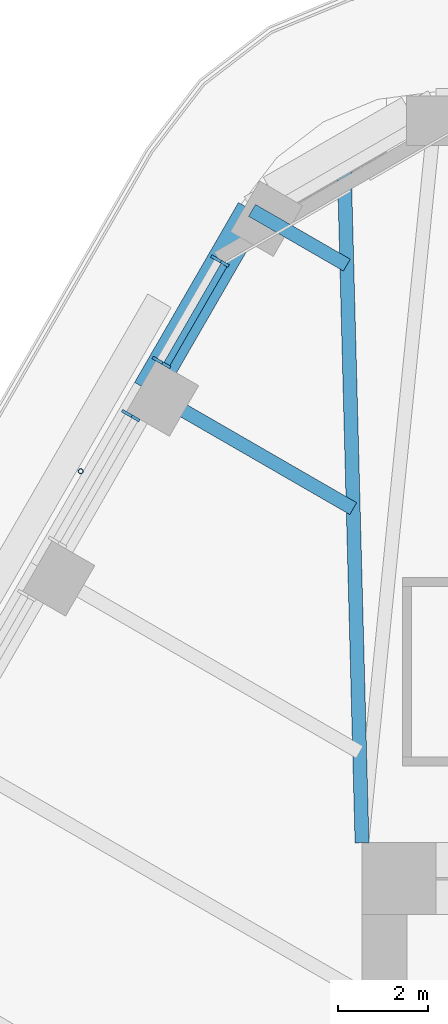
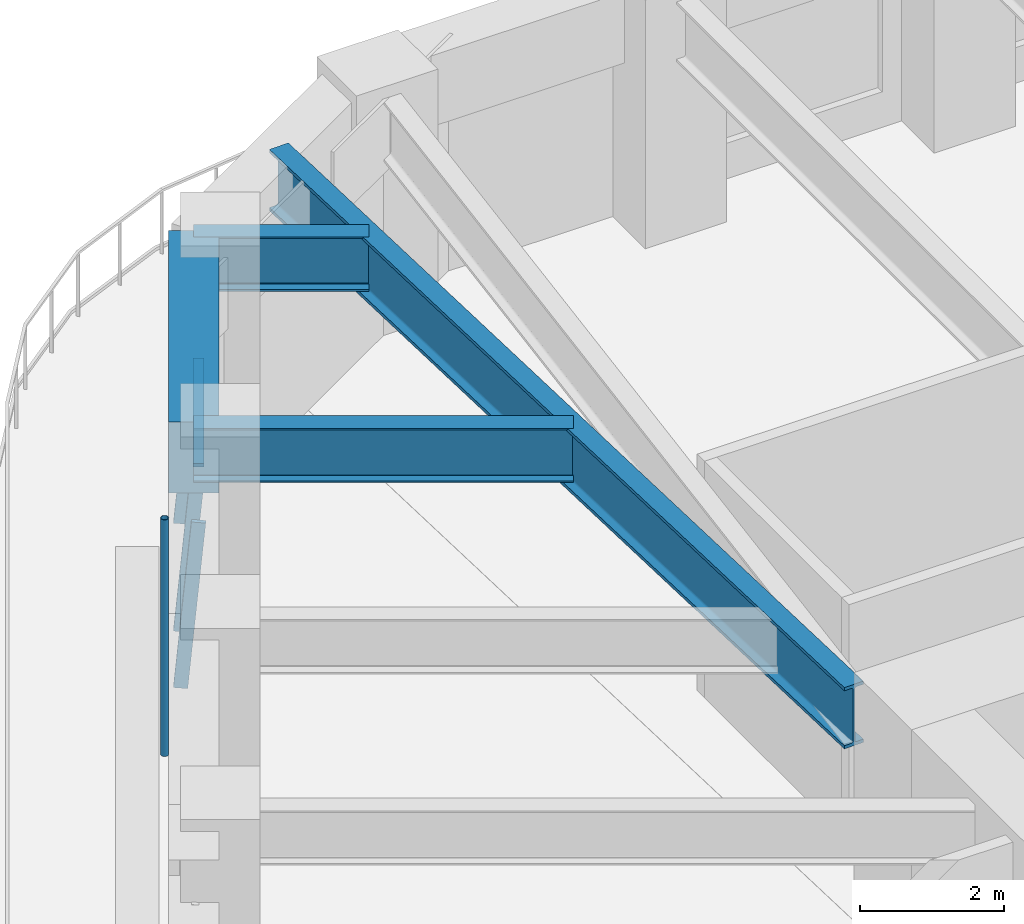
# One storey, part 8 of 20: 5 members, 4 beams, 2 elements without a shape of their own.
"""IFC4 building model written with IfcOpenShell, lengths in metres."""

import ifcopenshell
import ifcopenshell.guid

model = None  # the IFC model being written
_history = None  # IfcOwnerHistory: only IFC2X3 demands one
_inside = {}  # id of a spatial element -> (the spatial element, [elements in it])
_under = {}  # id of a project, library or spatial element -> (it, [spatial elements below it])
_declared = {}  # id of a project -> (the project, [libraries it declares])
_typed = {}  # id of a type object -> (the type object, [elements of that type])
_made_of = {}  # id of a material, layer set ... -> (it, [elements and type objects made of it])


def new_model(schema):
    """Start an empty IFC model of exactly this schema.

    Asked for "IFC4X3", IfcOpenShell would pick the latest addendum, in which some entities
    have other attributes; the version numbers below select the first issue.
    IFC2X3 requires an IfcOwnerHistory on every rooted entity: one is made here for all.
    """
    global model, _history
    if schema == "IFC4X3":
        model = ifcopenshell.file(schema_version=(4, 3, 0, 0))
    else:
        model = ifcopenshell.file(schema=schema)
    _inside.clear()
    _under.clear()
    _declared.clear()
    _typed.clear()
    _made_of.clear()
    _history = None
    if model.schema == "IFC2X3":
        org = make("IfcOrganization", Name="unknown")
        user = make(
            "IfcPersonAndOrganization",
            ThePerson=make("IfcPerson", FamilyName="unknown"),
            TheOrganization=org,
        )
        app = make(
            "IfcApplication",
            ApplicationDeveloper=org,
            Version="unknown",
            ApplicationFullName="unknown",
            ApplicationIdentifier="unknown",
        )
        _history = make(
            "IfcOwnerHistory",
            OwningUser=user,
            OwningApplication=app,
            ChangeAction="ADDED",
            CreationDate=0,
        )
    return model


def make(cls, **values):
    """One entity of the class cls with the attributes given. An attribute that is None is left unset."""
    return model.create_entity(
        cls, **{name: value for name, value in values.items() if value is not None}
    )


def rooted(cls, **values):
    """An entity with a GlobalId (a new one), such as an element, a storey or a relation."""
    return make(cls, GlobalId=ifcopenshell.guid.new(), OwnerHistory=_history, **values)


def si_unit(unit_type, name, prefix=None):
    """IfcSIUnit, for example si_unit("LENGTHUNIT", "METRE", prefix="MILLI")."""
    return make("IfcSIUnit", UnitType=unit_type, Prefix=prefix, Name=name)


def assignment(units):
    """IfcUnitAssignment: the units of a project."""
    return None if units is None else make("IfcUnitAssignment", Units=units)


def point(xyz):
    """IfcCartesianPoint."""
    return None if xyz is None else make("IfcCartesianPoint", Coordinates=xyz)


def direction(xyz):
    """IfcDirection."""
    return None if xyz is None else make("IfcDirection", DirectionRatios=xyz)


def frame(location, z_axis=None, x_axis=None):
    """IfcAxis2Placement3D, a coordinate frame: its origin and axes. An axis left out is left unset."""
    return make(
        "IfcAxis2Placement3D",
        Location=point(location),
        Axis=direction(z_axis),
        RefDirection=direction(x_axis),
    )


def frame_2d(location, x_axis=None):
    """IfcAxis2Placement2D, a coordinate frame in the plane: its origin and x axis."""
    return make(
        "IfcAxis2Placement2D", Location=point(location), RefDirection=direction(x_axis)
    )


def origin():
    """The frame at (0, 0, 0) with its axes left unset."""
    return frame((0.0, 0.0, 0.0))


def origin_2d():
    """The frame at (0, 0) in the plane with its x axis left unset."""
    return frame_2d((0.0, 0.0))


def place(relative_to, where):
    """IfcLocalPlacement: puts the frame where relative to a parent placement (None: the world)."""
    return make(
        "IfcLocalPlacement", PlacementRelTo=relative_to, RelativePlacement=where
    )


def context(
    kind, dimensions, precision=None, world=None, true_north=None, identifier=None
):
    """IfcGeometricRepresentationContext, for example the 3D "Model" context."""
    return make(
        "IfcGeometricRepresentationContext",
        ContextIdentifier=identifier,
        ContextType=kind,
        CoordinateSpaceDimension=dimensions,
        Precision=precision,
        WorldCoordinateSystem=world,
        TrueNorth=true_north,
    )


def subcontext(parent, identifier, kind, view, scale=None):
    """IfcGeometricRepresentationSubContext, for example "Body" below "Model"."""
    return make(
        "IfcGeometricRepresentationSubContext",
        ContextIdentifier=identifier,
        ContextType=kind,
        ParentContext=parent,
        TargetScale=scale,
        TargetView=view,
    )


def project(units=None, contexts=None):
    """IfcProject with its units and contexts."""
    return rooted(
        "IfcProject",
        Name="project",
        RepresentationContexts=contexts,
        UnitsInContext=assignment(units),
    )


def spatial(cls, under=None, at=None, **own):
    """A site, building, storey or space (cls), placed at a placement, below another one or the project."""
    s = rooted(cls, ObjectPlacement=at, **own)
    if under is not None:
        _under.setdefault(under.id(), (under, []))[1].append(s)
    return s


def profile(cls, at=None, kind="AREA", **sizes):
    """A parametric profile (cls). Its sizes go by their IFC names, for example OverallWidth=200.0."""
    return make(cls, ProfileType=kind, Position=at, **sizes)


def rectangle(**sizes):
    """IfcRectangleProfileDef."""
    return profile("IfcRectangleProfileDef", **sizes)


def hollow_circle(**sizes):
    """IfcCircleHollowProfileDef."""
    return profile("IfcCircleHollowProfileDef", **sizes)


def i_section(**sizes):
    """IfcIShapeProfileDef."""
    return profile("IfcIShapeProfileDef", **sizes)


def extrude(swept, where, along, depth):
    """IfcExtrudedAreaSolid: the profile swept, set in the frame where, extruded along a direction by depth."""
    return make(
        "IfcExtrudedAreaSolid",
        SweptArea=swept,
        Position=where,
        ExtrudedDirection=direction(along),
        Depth=depth,
    )


def shape(context_of_items, identifier, shape_type, items):
    """IfcShapeRepresentation: the items that make up one representation, for example the "Body"."""
    return make(
        "IfcShapeRepresentation",
        ContextOfItems=context_of_items,
        RepresentationIdentifier=identifier,
        RepresentationType=shape_type,
        Items=items,
    )


def material(Name=None, Category=None):
    """IfcMaterial."""
    return make("IfcMaterial", Name=Name, Category=Category)


def material_profile(
    of_material, cross_section, Name=None, Category=None, Priority=None
):
    """IfcMaterialProfile: a cross section and its material."""
    return make(
        "IfcMaterialProfile",
        Name=Name,
        Material=of_material,
        Profile=cross_section,
        Priority=Priority,
        Category=Category,
    )


def profile_set(profiles, Name=None, composite=None):
    """IfcMaterialProfileSet."""
    return make(
        "IfcMaterialProfileSet",
        Name=Name,
        MaterialProfiles=profiles,
        CompositeProfile=composite,
    )


def made_of(thing, what):
    """Note that an element or type object is made of a material, layer set ...; save() writes the relation."""
    if what is not None:
        _made_of.setdefault(what.id(), (what, []))[1].append(thing)
    return thing


def type_object(cls, material=None, **own):
    """A type object (cls), such as IfcWallType, which elements share."""
    return made_of(rooted(cls, **own), material)


def element(
    cls,
    number,
    at=None,
    inside=None,
    cuts=None,
    type_object=None,
    material=None,
    context=None,
    identifier="Body",
    shape_type=None,
    held_by="IfcProductDefinitionShape",
    body=None,
    shapes=None,
    **own,
):
    """One element of the class cls, such as IfcWall. Its Tag is "e" and its number.

    at: its placement. inside: the storey or other place that contains it. cuts: it is an
    opening in that element (IfcRelVoidsElement). A single representation is given by context,
    identifier, shape_type and body (its items); several are given by shapes. held_by: the class
    of the entity that holds the representations. save() writes the other relations.
    """
    e = rooted(cls, Tag="e%d" % number, ObjectPlacement=at, **own)
    if body is not None:
        shapes = [shape(context, identifier, shape_type, body)]
    if shapes is not None:
        e.Representation = make(held_by, Representations=shapes)
    if inside is not None:
        _inside.setdefault(inside.id(), (inside, []))[1].append(e)
    if cuts is not None:
        rooted(
            "IfcRelVoidsElement", RelatingBuildingElement=cuts, RelatedOpeningElement=e
        )
    if type_object is not None:
        _typed.setdefault(type_object.id(), (type_object, []))[1].append(e)
    return made_of(e, material)


def aggregate(whole, parts):
    """IfcRelAggregates: a whole, such as a stair, and the parts it consists of."""
    return rooted("IfcRelAggregates", RelatingObject=whole, RelatedObjects=parts)


def save(model, path):
    """Write the relations noted so far, then the file.

    IfcRelAggregates (storeys below a building ...), IfcRelContainedInSpatialStructure (elements
    in a storey), IfcRelDefinesByType, IfcRelAssociatesMaterial and IfcRelDeclares: one each for
    every whole, place, type object, material and project.
    """
    for whole, parts in _under.values():
        aggregate(whole, parts)
    for where, things in _inside.values():
        rooted(
            "IfcRelContainedInSpatialStructure",
            RelatedElements=things,
            RelatingStructure=where,
        )
    for kind, things in _typed.values():
        rooted("IfcRelDefinesByType", RelatedObjects=things, RelatingType=kind)
    for what, things in _made_of.values():
        rooted("IfcRelAssociatesMaterial", RelatedObjects=things, RelatingMaterial=what)
    for by, libraries in _declared.values():
        rooted("IfcRelDeclares", RelatingContext=by, RelatedDefinitions=libraries)
    model.write(path)


model = new_model("IFC4")

# Units and contexts
model_context = context("Model", 3, precision=1e-05, world=origin(), true_north=direction((0.0, 1.0)))
body_context = subcontext(model_context, "Body", "Model", "MODEL_VIEW")
ifc_project = project(units=[si_unit("LENGTHUNIT", "METRE"), si_unit("AREAUNIT", "SQUARE_METRE"), si_unit("VOLUMEUNIT", "CUBIC_METRE"), si_unit("PLANEANGLEUNIT", "RADIAN"), si_unit("MASSUNIT", "GRAM", prefix="KILO")], contexts=[model_context])

# Site, building, storey
site_placement = place(None, origin())
site = spatial("IfcSite", under=ifc_project, at=site_placement, CompositionType="ELEMENT")
building_placement = place(site_placement, origin())
building = spatial("IfcBuilding", under=site, at=building_placement, Name="Tarfa Lantern Tower", CompositionType="ELEMENT")
storey_placement = place(building_placement, frame((0.0, 0.0, 253.300048828125)))
storey = spatial("IfcBuildingStorey", under=building, at=storey_placement, Name="L57", CompositionType="ELEMENT", Elevation=253.300048828125)

# Curtain wall, members
ifc_material_1 = material(Name="Aluminium framed curtain wall", Category="aluminium")
curtain_wall_type = type_object("IfcCurtainWallType", Name="CW3 CANTED GLAZING HIGH ZONE 2800", PredefinedType="USERDEFINED", material=ifc_material_1)
curtain_wall_1_placement = place(storey_placement, origin())
curtain_wall_1 = element("IfcCurtainWall", 1, at=curtain_wall_1_placement, inside=storey, type_object=curtain_wall_type, Name="CW3 NW L57", ObjectType="CURTAIN WALL", PredefinedType="USERDEFINED")
ifc_material_2 = material(Name="Aluminium mullion", Category="aluminium")
ifc_material_profile_1 = material_profile(ifc_material_2, rectangle(XDim=0.06494140625, YDim=0.199951171875, at=origin_2d()), Name="AL MULLION 65x200")
ifc_profile_set_1 = profile_set([ifc_material_profile_1], Name="Aluminium mullion")
member_type_1 = type_object("IfcMemberType", Name="CWM1 MULLION 65x200", PredefinedType="MULLION", material=ifc_profile_set_1)
member_1_placement = place(storey_placement, frame((-18.76611328125, 25.296142578125, 0.0), z_axis=(0.077032386753, -0.044465143199, 0.996036576854), x_axis=(0.499919672301, 0.866071776036, 0.0)))
member_1 = element("IfcMember", 2, at=member_1_placement, type_object=member_type_1, Name="CW3 mullion 1", PredefinedType="MULLION", context=body_context, shape_type="SweptSolid", body=[
    extrude(rectangle(XDim=0.06494140625, YDim=0.199951171875, at=origin_2d()), origin(), (0.0, 0.0, 1.0), 2.811279296875),
])
member_2_placement = place(storey_placement, frame((-20.068115234375, 23.041015625, 0.0), z_axis=(0.077032386753, -0.044465143199, 0.996036576854), x_axis=(0.499919672301, 0.866071776036, 0.0)))
member_2 = element("IfcMember", 3, at=member_2_placement, type_object=member_type_1, Name="CW3 mullion 2", PredefinedType="MULLION", context=body_context, shape_type="SweptSolid", body=[
    extrude(rectangle(XDim=0.06494140625, YDim=0.199951171875, at=origin_2d()), origin(), (0.0, 0.0, 1.0), 2.811279296875),
])

# Curtain wall, member
curtain_wall_2_placement = place(storey_placement, origin())
curtain_wall_2 = element("IfcCurtainWall", 4, at=curtain_wall_2_placement, inside=storey, type_object=curtain_wall_type, Name="CW3 NW L57", ObjectType="CURTAIN WALL", PredefinedType="USERDEFINED")
member_3_placement = place(storey_placement, frame((-20.75048828125, 21.85888671875, 0.0), z_axis=(0.076946055247, -0.044465440504, 0.996043236603), x_axis=(0.500342721131, 0.865827443207, 0.0)))
member_3 = element("IfcMember", 5, at=member_3_placement, type_object=member_type_1, Name="CW3 mullion 1", PredefinedType="MULLION", context=body_context, shape_type="SweptSolid", body=[
    extrude(rectangle(XDim=0.06494140625, YDim=0.199951171875, at=origin_2d()), origin(), (0.0, 0.0, 1.0), 2.811279296875),
])
aggregate(curtain_wall_2, [member_3])

# Member
ifc_material_3 = material(Name="Aluminium transom", Category="aluminium")
ifc_material_profile_2 = material_profile(ifc_material_3, rectangle(XDim=0.14990234375, YDim=0.06494140625, at=origin_2d()), Name="AL TRANSOM 150x65")
ifc_profile_set_2 = profile_set([ifc_material_profile_2], Name="Aluminium transom")
member_type_2 = type_object("IfcMemberType", Name="CWT1 TRANSOM 150x65", PredefinedType="USERDEFINED", material=ifc_profile_set_2)
member_4_placement = place(storey_placement, frame((-18.568359375, 25.144287109375, 2.767333984375), z_axis=(-0.500027655771, -0.866009436129, 0.0), x_axis=(0.866009436129, -0.500027655771, 0.0)))
member_4 = element("IfcMember", 6, at=member_4_placement, type_object=member_type_2, Name="CW3 transom 1.2", ObjectType="TRANSOM", PredefinedType="USERDEFINED", context=body_context, shape_type="SweptSolid", body=[
    extrude(rectangle(XDim=0.14990234375, YDim=0.06494140625, at=origin_2d()), origin(), (0.0, 0.0, 1.0), 2.538818359375),
])

aggregate(curtain_wall_1, [member_1, member_2, member_4])

# Beam
ifc_material_4 = material(Name="Concrete C80/95", Category="concrete")
ifc_material_profile_3 = material_profile(ifc_material_4, rectangle(XDim=0.699951171875, YDim=1.199951171875, at=origin_2d()), Name="RC 700x1200")
ifc_profile_set_3 = profile_set([ifc_material_profile_3], Name="Concrete C80/95")
beam_type_1 = type_object("IfcBeamType", Name="EB3 RC 700x1200", PredefinedType="SPANDREL", material=ifc_profile_set_3)
beam_1_placement = place(storey_placement, frame((-17.944091796875, 26.360107421875, 3.39990234375), z_axis=(-0.499987836815, -0.866032426089, 0.0), x_axis=(0.866032426089, -0.499987836815, 0.0)))
element("IfcBeam", 7, at=beam_1_placement, inside=storey, type_object=beam_type_1, Name="Edge beam NW0", PredefinedType="SPANDREL", context=body_context, shape_type="SweptSolid", body=[
    extrude(rectangle(XDim=0.699951171875, YDim=1.199951171875, at=origin_2d()), origin(), (0.0, 0.0, 1.0), 4.61865234375),
])

# Member
ifc_material_5 = material(Name="Steel S355", Category="steel")
ifc_material_profile_4 = material_profile(ifc_material_5, hollow_circle(Radius=0.05712890625, WallThickness=0.00634765625, at=origin_2d()), Name="CHS114.3x6.3")
ifc_profile_set_4 = profile_set([ifc_material_profile_4], Name="Steel S355")
member_type_3 = type_object("IfcMemberType", Name="TR1 GREEN WALL TRELLIS CHS114.3x6.3", PredefinedType="USERDEFINED", material=ifc_profile_set_4)
member_5_placement = place(storey_placement, frame((-21.754638671875, 20.56005859375, 0.0), z_axis=(0.0, 0.0, 1.0), x_axis=(1.0, 0.0, 0.0)))
element("IfcMember", 8, at=member_5_placement, inside=storey, type_object=member_type_3, Name="Trellis post NW 1", ObjectType="TRELLIS", PredefinedType="USERDEFINED", context=body_context, shape_type="SweptSolid", body=[
    extrude(hollow_circle(Radius=0.05712890625, WallThickness=0.00634765625, at=origin_2d()), origin(), (0.0, 0.0, 1.0), 4.0),
])

# Beams
ifc_material_6 = material(Name="Steel S460M", Category="steel")
ifc_material_profile_5 = material_profile(ifc_material_6, i_section(OverallWidth=0.30859375, OverallDepth=1.036376953125, WebThickness=0.030029296875, FlangeThickness=0.05419921875, FilletRadius=0.030029296875, at=origin_2d()), Name="UB1016x305x487")
ifc_profile_set_5 = profile_set([ifc_material_profile_5], Name="Steel S460M")
beam_type_2 = type_object("IfcBeamType", Name="UB1016x305x487", PredefinedType="BEAM", material=ifc_profile_set_5)
beam_2_placement = place(storey_placement, frame((-15.5, 12.300048828125, 3.481689453125), z_axis=(-0.026247301989, 0.999655480222, 0.0), x_axis=(-0.999655480222, -0.026247301989, 0.0)))
element("IfcBeam", 9, at=beam_2_placement, inside=storey, type_object=beam_type_2, Name="Hip girder NW", PredefinedType="BEAM", context=body_context, shape_type="SweptSolid", body=[
    extrude(i_section(OverallWidth=0.30859375, OverallDepth=1.036376953125, WebThickness=0.030029296875, FlangeThickness=0.05419921875, FilletRadius=0.030029296875, at=origin_2d()), origin(), (0.0, 0.0, 1.0), 15.245361328125),
])
ifc_material_profile_6 = material_profile(ifc_material_6, i_section(OverallWidth=0.305419921875, OverallDepth=0.91845703125, WebThickness=0.017333984375, FlangeThickness=0.02783203125, FilletRadius=0.01904296875, at=origin_2d()), Name="UB914x305x253")
ifc_profile_set_6 = profile_set([ifc_material_profile_6], Name="Steel S460M")
beam_type_3 = type_object("IfcBeamType", Name="UB914x305x253", PredefinedType="BEAM", material=ifc_profile_set_6)
beam_3_placement = place(storey_placement, frame((-17.944091796875, 26.360107421875, 3.540771484375), z_axis=(0.865980009423, -0.5000786171, 0.0), x_axis=(0.5000786171, 0.865980009423, 0.0)))
element("IfcBeam", 10, at=beam_3_placement, inside=storey, type_object=beam_type_3, Name="Floor beam NW0", PredefinedType="BEAM", context=body_context, shape_type="SweptSolid", body=[
    extrude(i_section(OverallWidth=0.305419921875, OverallDepth=0.91845703125, WebThickness=0.017333984375, FlangeThickness=0.02783203125, FilletRadius=0.01904296875, at=origin_2d()), origin(), (0.0, 0.0, 1.0), 2.4326171875),
])
beam_4_placement = place(storey_placement, frame((-20.25341796875, 22.360107421875, 3.540771484375), z_axis=(0.86601951648, -0.500010196972, 0.0), x_axis=(0.500010196972, 0.86601951648, 0.0)))
element("IfcBeam", 11, at=beam_4_placement, inside=storey, type_object=beam_type_3, Name="Floor beam NW1", PredefinedType="BEAM", context=body_context, shape_type="SweptSolid", body=[
    extrude(i_section(OverallWidth=0.305419921875, OverallDepth=0.91845703125, WebThickness=0.017333984375, FlangeThickness=0.02783203125, FilletRadius=0.01904296875, at=origin_2d()), origin(), (0.0, 0.0, 1.0), 5.263671875),
])

save(model, "model.ifc")
